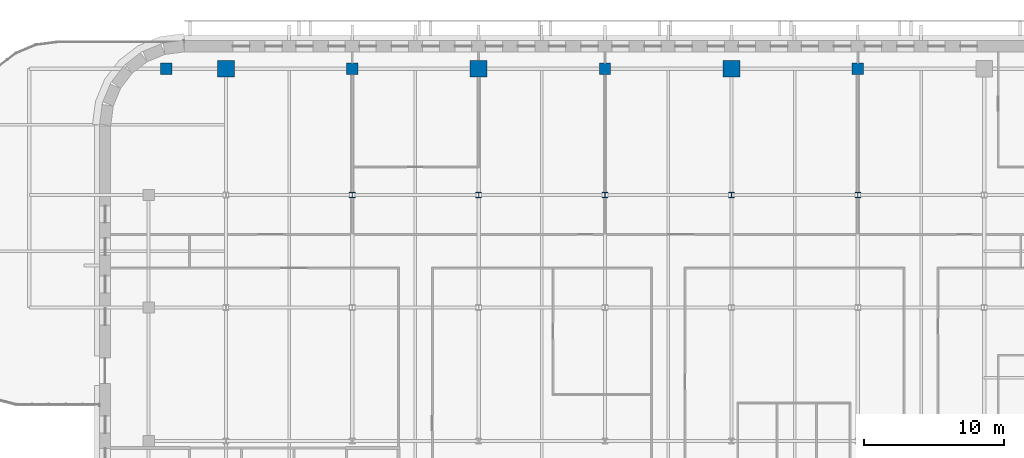
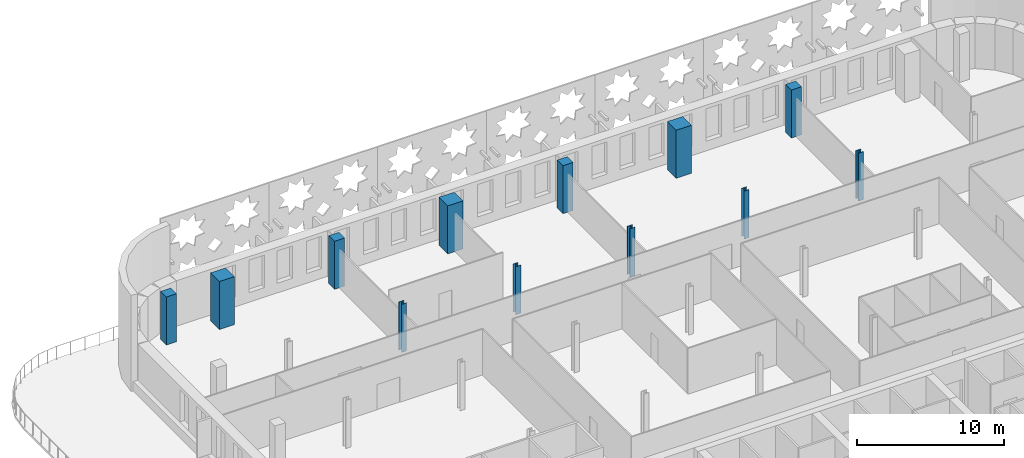
# One storey, part 2 of 17: 12 columns.
"""IFC4 building model written with IfcOpenShell, lengths in metres."""

import ifcopenshell
import ifcopenshell.guid

model = None  # the IFC model being written
_history = None  # IfcOwnerHistory: only IFC2X3 demands one
_inside = {}  # id of a spatial element -> (the spatial element, [elements in it])
_under = {}  # id of a project, library or spatial element -> (it, [spatial elements below it])
_declared = {}  # id of a project -> (the project, [libraries it declares])
_typed = {}  # id of a type object -> (the type object, [elements of that type])
_made_of = {}  # id of a material, layer set ... -> (it, [elements and type objects made of it])


def new_model(schema):
    """Start an empty IFC model of exactly this schema.

    Asked for "IFC4X3", IfcOpenShell would pick the latest addendum, in which some entities
    have other attributes; the version numbers below select the first issue.
    IFC2X3 requires an IfcOwnerHistory on every rooted entity: one is made here for all.
    """
    global model, _history
    if schema == "IFC4X3":
        model = ifcopenshell.file(schema_version=(4, 3, 0, 0))
    else:
        model = ifcopenshell.file(schema=schema)
    _inside.clear()
    _under.clear()
    _declared.clear()
    _typed.clear()
    _made_of.clear()
    _history = None
    if model.schema == "IFC2X3":
        org = make("IfcOrganization", Name="unknown")
        user = make(
            "IfcPersonAndOrganization",
            ThePerson=make("IfcPerson", FamilyName="unknown"),
            TheOrganization=org,
        )
        app = make(
            "IfcApplication",
            ApplicationDeveloper=org,
            Version="unknown",
            ApplicationFullName="unknown",
            ApplicationIdentifier="unknown",
        )
        _history = make(
            "IfcOwnerHistory",
            OwningUser=user,
            OwningApplication=app,
            ChangeAction="ADDED",
            CreationDate=0,
        )
    return model


def make(cls, **values):
    """One entity of the class cls with the attributes given. An attribute that is None is left unset."""
    return model.create_entity(
        cls, **{name: value for name, value in values.items() if value is not None}
    )


def rooted(cls, **values):
    """An entity with a GlobalId (a new one), such as an element, a storey or a relation."""
    return make(cls, GlobalId=ifcopenshell.guid.new(), OwnerHistory=_history, **values)


def si_unit(unit_type, name, prefix=None):
    """IfcSIUnit, for example si_unit("LENGTHUNIT", "METRE", prefix="MILLI")."""
    return make("IfcSIUnit", UnitType=unit_type, Prefix=prefix, Name=name)


def assignment(units):
    """IfcUnitAssignment: the units of a project."""
    return None if units is None else make("IfcUnitAssignment", Units=units)


def point(xyz):
    """IfcCartesianPoint."""
    return None if xyz is None else make("IfcCartesianPoint", Coordinates=xyz)


def direction(xyz):
    """IfcDirection."""
    return None if xyz is None else make("IfcDirection", DirectionRatios=xyz)


def frame(location, z_axis=None, x_axis=None):
    """IfcAxis2Placement3D, a coordinate frame: its origin and axes. An axis left out is left unset."""
    return make(
        "IfcAxis2Placement3D",
        Location=point(location),
        Axis=direction(z_axis),
        RefDirection=direction(x_axis),
    )


def frame_2d(location, x_axis=None):
    """IfcAxis2Placement2D, a coordinate frame in the plane: its origin and x axis."""
    return make(
        "IfcAxis2Placement2D", Location=point(location), RefDirection=direction(x_axis)
    )


def origin():
    """The frame at (0, 0, 0) with its axes left unset."""
    return frame((0.0, 0.0, 0.0))


def origin_2d():
    """The frame at (0, 0) in the plane with its x axis left unset."""
    return frame_2d((0.0, 0.0))


def place(relative_to, where):
    """IfcLocalPlacement: puts the frame where relative to a parent placement (None: the world)."""
    return make(
        "IfcLocalPlacement", PlacementRelTo=relative_to, RelativePlacement=where
    )


def context(
    kind, dimensions, precision=None, world=None, true_north=None, identifier=None
):
    """IfcGeometricRepresentationContext, for example the 3D "Model" context."""
    return make(
        "IfcGeometricRepresentationContext",
        ContextIdentifier=identifier,
        ContextType=kind,
        CoordinateSpaceDimension=dimensions,
        Precision=precision,
        WorldCoordinateSystem=world,
        TrueNorth=true_north,
    )


def subcontext(parent, identifier, kind, view, scale=None):
    """IfcGeometricRepresentationSubContext, for example "Body" below "Model"."""
    return make(
        "IfcGeometricRepresentationSubContext",
        ContextIdentifier=identifier,
        ContextType=kind,
        ParentContext=parent,
        TargetScale=scale,
        TargetView=view,
    )


def project(units=None, contexts=None):
    """IfcProject with its units and contexts."""
    return rooted(
        "IfcProject",
        Name="project",
        RepresentationContexts=contexts,
        UnitsInContext=assignment(units),
    )


def spatial(cls, under=None, at=None, **own):
    """A site, building, storey or space (cls), placed at a placement, below another one or the project."""
    s = rooted(cls, ObjectPlacement=at, **own)
    if under is not None:
        _under.setdefault(under.id(), (under, []))[1].append(s)
    return s


def profile(cls, at=None, kind="AREA", **sizes):
    """A parametric profile (cls). Its sizes go by their IFC names, for example OverallWidth=200.0."""
    return make(cls, ProfileType=kind, Position=at, **sizes)


def rectangle(**sizes):
    """IfcRectangleProfileDef."""
    return profile("IfcRectangleProfileDef", **sizes)


def i_section(**sizes):
    """IfcIShapeProfileDef."""
    return profile("IfcIShapeProfileDef", **sizes)


def extrude(swept, where, along, depth):
    """IfcExtrudedAreaSolid: the profile swept, set in the frame where, extruded along a direction by depth."""
    return make(
        "IfcExtrudedAreaSolid",
        SweptArea=swept,
        Position=where,
        ExtrudedDirection=direction(along),
        Depth=depth,
    )


def shape(context_of_items, identifier, shape_type, items):
    """IfcShapeRepresentation: the items that make up one representation, for example the "Body"."""
    return make(
        "IfcShapeRepresentation",
        ContextOfItems=context_of_items,
        RepresentationIdentifier=identifier,
        RepresentationType=shape_type,
        Items=items,
    )


def material(Name=None, Category=None):
    """IfcMaterial."""
    return make("IfcMaterial", Name=Name, Category=Category)


def material_profile(
    of_material, cross_section, Name=None, Category=None, Priority=None
):
    """IfcMaterialProfile: a cross section and its material."""
    return make(
        "IfcMaterialProfile",
        Name=Name,
        Material=of_material,
        Profile=cross_section,
        Priority=Priority,
        Category=Category,
    )


def profile_set(profiles, Name=None, composite=None):
    """IfcMaterialProfileSet."""
    return make(
        "IfcMaterialProfileSet",
        Name=Name,
        MaterialProfiles=profiles,
        CompositeProfile=composite,
    )


def made_of(thing, what):
    """Note that an element or type object is made of a material, layer set ...; save() writes the relation."""
    if what is not None:
        _made_of.setdefault(what.id(), (what, []))[1].append(thing)
    return thing


def type_object(cls, material=None, **own):
    """A type object (cls), such as IfcWallType, which elements share."""
    return made_of(rooted(cls, **own), material)


def element(
    cls,
    number,
    at=None,
    inside=None,
    cuts=None,
    type_object=None,
    material=None,
    context=None,
    identifier="Body",
    shape_type=None,
    held_by="IfcProductDefinitionShape",
    body=None,
    shapes=None,
    **own,
):
    """One element of the class cls, such as IfcWall. Its Tag is "e" and its number.

    at: its placement. inside: the storey or other place that contains it. cuts: it is an
    opening in that element (IfcRelVoidsElement). A single representation is given by context,
    identifier, shape_type and body (its items); several are given by shapes. held_by: the class
    of the entity that holds the representations. save() writes the other relations.
    """
    e = rooted(cls, Tag="e%d" % number, ObjectPlacement=at, **own)
    if body is not None:
        shapes = [shape(context, identifier, shape_type, body)]
    if shapes is not None:
        e.Representation = make(held_by, Representations=shapes)
    if inside is not None:
        _inside.setdefault(inside.id(), (inside, []))[1].append(e)
    if cuts is not None:
        rooted(
            "IfcRelVoidsElement", RelatingBuildingElement=cuts, RelatedOpeningElement=e
        )
    if type_object is not None:
        _typed.setdefault(type_object.id(), (type_object, []))[1].append(e)
    return made_of(e, material)


def aggregate(whole, parts):
    """IfcRelAggregates: a whole, such as a stair, and the parts it consists of."""
    return rooted("IfcRelAggregates", RelatingObject=whole, RelatedObjects=parts)


def save(model, path):
    """Write the relations noted so far, then the file.

    IfcRelAggregates (storeys below a building ...), IfcRelContainedInSpatialStructure (elements
    in a storey), IfcRelDefinesByType, IfcRelAssociatesMaterial and IfcRelDeclares: one each for
    every whole, place, type object, material and project.
    """
    for whole, parts in _under.values():
        aggregate(whole, parts)
    for where, things in _inside.values():
        rooted(
            "IfcRelContainedInSpatialStructure",
            RelatedElements=things,
            RelatingStructure=where,
        )
    for kind, things in _typed.values():
        rooted("IfcRelDefinesByType", RelatedObjects=things, RelatingType=kind)
    for what, things in _made_of.values():
        rooted("IfcRelAssociatesMaterial", RelatedObjects=things, RelatingMaterial=what)
    for by, libraries in _declared.values():
        rooted("IfcRelDeclares", RelatingContext=by, RelatedDefinitions=libraries)
    model.write(path)


model = new_model("IFC4")

# Units and contexts
model_context = context("Model", 3, precision=1e-05, world=origin(), true_north=direction((0.0, 1.0)))
body_context = subcontext(model_context, "Body", "Model", "MODEL_VIEW")
ifc_project = project(units=[si_unit("LENGTHUNIT", "METRE"), si_unit("AREAUNIT", "SQUARE_METRE"), si_unit("VOLUMEUNIT", "CUBIC_METRE"), si_unit("PLANEANGLEUNIT", "RADIAN"), si_unit("MASSUNIT", "GRAM", prefix="KILO")], contexts=[model_context])

# Site, building, storey
site_placement = place(None, origin())
site = spatial("IfcSite", under=ifc_project, at=site_placement, CompositionType="ELEMENT")
building_placement = place(site_placement, origin())
building = spatial("IfcBuilding", under=site, at=building_placement, Name="Zellij Exchange Tower", CompositionType="ELEMENT")
storey_placement = place(building_placement, frame((0.0, 0.0, 256.5)))
storey = spatial("IfcBuildingStorey", under=building, at=storey_placement, Name="L60", CompositionType="ELEMENT", Elevation=256.5)

# Columns
ifc_material_1 = material(Name="Concrete C50/60", Category="concrete")
ifc_material_profile_1 = material_profile(ifc_material_1, rectangle(XDim=0.800048828125, YDim=0.800048828125, at=origin_2d()), Name="STR-COLUMN RC800x800 C50/60")
ifc_profile_set_1 = profile_set([ifc_material_profile_1], Name="Concrete C50/60")
column_type_1 = type_object("IfcColumnType", Name="STR-COLUMN RC800x800 C50/60", PredefinedType="COLUMN", material=ifc_profile_set_1)
for number, where, z_axis, x_axis, name in (
    (1, (-31.25, 31.0, 0.0), (0.0, 0.0, 1.0), (1.0, 0.0, 0.0), "C15"),
    (2, (-18.0, 31.0, 0.0), (0.0, 0.0, 1.0), (1.0, 0.0, 0.0), "C15"),
    (3, (0.0, 31.0, 0.0), (0.0, 0.0, 1.0), (1.0, 0.0, 0.0), "C15"),
    (4, (18.0, 31.0, 0.0), (0.0, 0.0, 1.0), (1.0, 0.0, 0.0), "C15"),
):
    element("IfcColumn", number, at=place(storey_placement, frame(where, z_axis=z_axis, x_axis=x_axis)), inside=storey, type_object=column_type_1, Name=name, PredefinedType="COLUMN", context=body_context, shape_type="SweptSolid", body=[
        extrude(rectangle(XDim=0.800048828125, YDim=0.800048828125, at=origin_2d()), origin(), (0.0, 0.0, 1.0), 4.0),
    ])
ifc_material_2 = material(Name="Structural steel ASTM A992 Gr 50", Category="steel")
ifc_material_profile_2 = material_profile(ifc_material_2, i_section(OverallWidth=0.398681640625, OverallDepth=0.385986328125, WebThickness=0.02099609375, FlangeThickness=0.033203125, at=origin_2d()), Name="W14x176")
ifc_profile_set_2 = profile_set([ifc_material_profile_2], Name="Structural steel ASTM A992 Gr 50")
column_type_2 = type_object("IfcColumnType", Name="STR-COLUMN W14x176", PredefinedType="COLUMN", material=ifc_profile_set_2)
for number, where, z_axis, x_axis, name in (
    (5, (-18.0, 22.0, 0.0), (0.0, 0.0, 1.0), (1.0, 0.0, 0.0), "C2"),
    (6, (-9.0, 22.0, 0.0), (0.0, 0.0, 1.0), (1.0, 0.0, 0.0), "C2"),
    (7, (0.0, 22.0, 0.0), (0.0, 0.0, 1.0), (1.0, 0.0, 0.0), "C2"),
    (8, (9.0, 22.0, 0.0), (0.0, 0.0, 1.0), (1.0, 0.0, 0.0), "C2"),
    (9, (18.0, 22.0, 0.0), (0.0, 0.0, 1.0), (1.0, 0.0, 0.0), "C2"),
):
    element("IfcColumn", number, at=place(storey_placement, frame(where, z_axis=z_axis, x_axis=x_axis)), inside=storey, type_object=column_type_2, Name=name, PredefinedType="COLUMN", context=body_context, shape_type="SweptSolid", body=[
        extrude(i_section(OverallWidth=0.398681640625, OverallDepth=0.385986328125, WebThickness=0.02099609375, FlangeThickness=0.033203125, at=origin_2d()), origin(), (0.0, 0.0, 1.0), 4.0),
    ])
ifc_material_profile_3 = material_profile(ifc_material_1, rectangle(XDim=1.199951171875, YDim=1.199951171875, at=origin_2d()), Name="STR-MEGA COLUMN RC1200x1200 C50/60")
ifc_profile_set_3 = profile_set([ifc_material_profile_3], Name="Concrete C50/60")
column_type_3 = type_object("IfcColumnType", Name="STR-MEGA COLUMN RC1200x1200 C50/60", PredefinedType="COLUMN", material=ifc_profile_set_3)
for number, where, z_axis, x_axis, name in (
    (10, (-27.0, 31.0, 0.0), (0.0, 0.0, 1.0), (1.0, 0.0, 0.0), "MC2"),
    (11, (-9.0, 31.0, 0.0), (0.0, 0.0, 1.0), (1.0, 0.0, 0.0), "MC2"),
    (12, (9.0, 31.0, 0.0), (0.0, 0.0, 1.0), (1.0, 0.0, 0.0), "MC2"),
):
    element("IfcColumn", number, at=place(storey_placement, frame(where, z_axis=z_axis, x_axis=x_axis)), inside=storey, type_object=column_type_3, Name=name, PredefinedType="COLUMN", context=body_context, shape_type="SweptSolid", body=[
        extrude(rectangle(XDim=1.199951171875, YDim=1.199951171875, at=origin_2d()), origin(), (0.0, 0.0, 1.0), 4.0),
    ])

save(model, "model.ifc")
